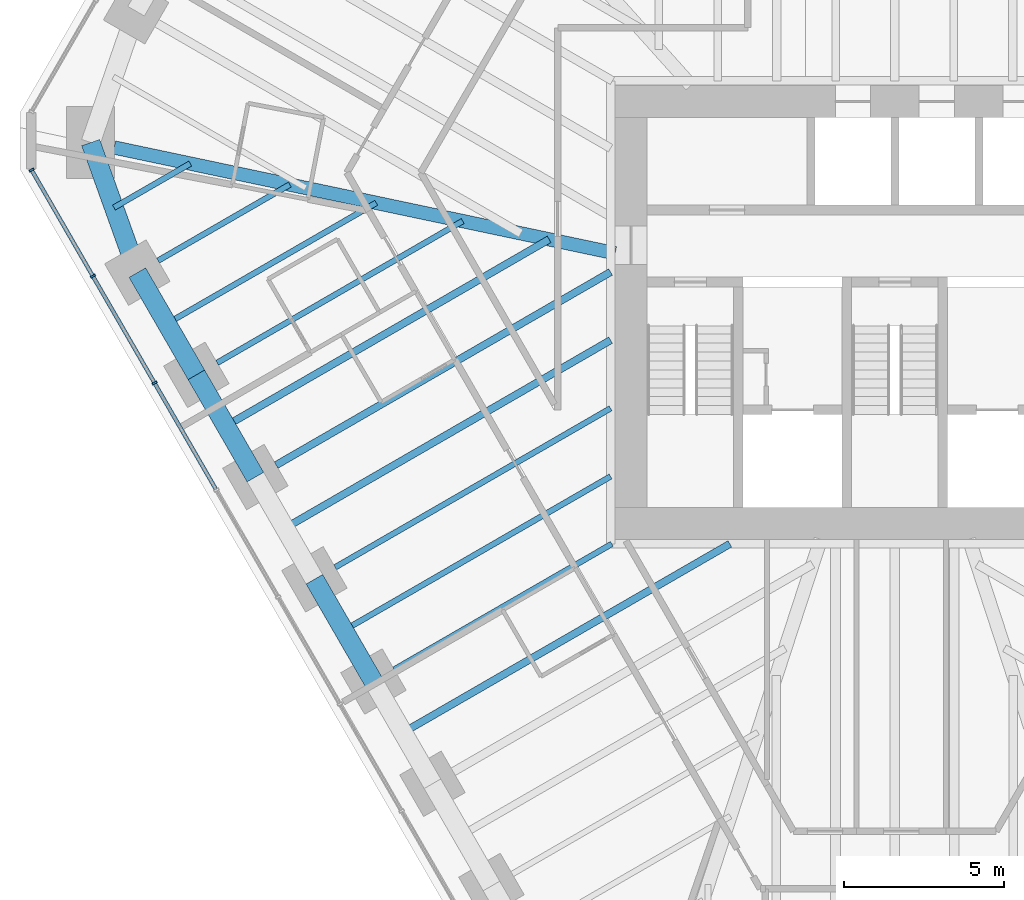
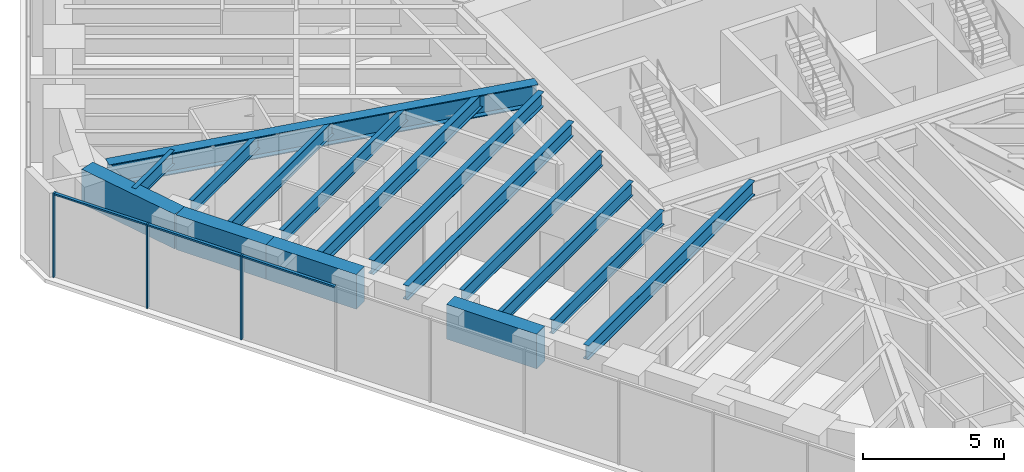
# One storey, part 3 of 16: 16 beams, 6 members, 1 element without a shape of its own.
"""IFC4 building model written with IfcOpenShell, lengths in metres."""

import ifcopenshell
import ifcopenshell.guid

model = None  # the IFC model being written
_history = None  # IfcOwnerHistory: only IFC2X3 demands one
_inside = {}  # id of a spatial element -> (the spatial element, [elements in it])
_under = {}  # id of a project, library or spatial element -> (it, [spatial elements below it])
_declared = {}  # id of a project -> (the project, [libraries it declares])
_typed = {}  # id of a type object -> (the type object, [elements of that type])
_made_of = {}  # id of a material, layer set ... -> (it, [elements and type objects made of it])


def new_model(schema):
    """Start an empty IFC model of exactly this schema.

    Asked for "IFC4X3", IfcOpenShell would pick the latest addendum, in which some entities
    have other attributes; the version numbers below select the first issue.
    IFC2X3 requires an IfcOwnerHistory on every rooted entity: one is made here for all.
    """
    global model, _history
    if schema == "IFC4X3":
        model = ifcopenshell.file(schema_version=(4, 3, 0, 0))
    else:
        model = ifcopenshell.file(schema=schema)
    _inside.clear()
    _under.clear()
    _declared.clear()
    _typed.clear()
    _made_of.clear()
    _history = None
    if model.schema == "IFC2X3":
        org = make("IfcOrganization", Name="unknown")
        user = make(
            "IfcPersonAndOrganization",
            ThePerson=make("IfcPerson", FamilyName="unknown"),
            TheOrganization=org,
        )
        app = make(
            "IfcApplication",
            ApplicationDeveloper=org,
            Version="unknown",
            ApplicationFullName="unknown",
            ApplicationIdentifier="unknown",
        )
        _history = make(
            "IfcOwnerHistory",
            OwningUser=user,
            OwningApplication=app,
            ChangeAction="ADDED",
            CreationDate=0,
        )
    return model


def make(cls, **values):
    """One entity of the class cls with the attributes given. An attribute that is None is left unset."""
    return model.create_entity(
        cls, **{name: value for name, value in values.items() if value is not None}
    )


def rooted(cls, **values):
    """An entity with a GlobalId (a new one), such as an element, a storey or a relation."""
    return make(cls, GlobalId=ifcopenshell.guid.new(), OwnerHistory=_history, **values)


def si_unit(unit_type, name, prefix=None):
    """IfcSIUnit, for example si_unit("LENGTHUNIT", "METRE", prefix="MILLI")."""
    return make("IfcSIUnit", UnitType=unit_type, Prefix=prefix, Name=name)


def assignment(units):
    """IfcUnitAssignment: the units of a project."""
    return None if units is None else make("IfcUnitAssignment", Units=units)


def point(xyz):
    """IfcCartesianPoint."""
    return None if xyz is None else make("IfcCartesianPoint", Coordinates=xyz)


def direction(xyz):
    """IfcDirection."""
    return None if xyz is None else make("IfcDirection", DirectionRatios=xyz)


def frame(location, z_axis=None, x_axis=None):
    """IfcAxis2Placement3D, a coordinate frame: its origin and axes. An axis left out is left unset."""
    return make(
        "IfcAxis2Placement3D",
        Location=point(location),
        Axis=direction(z_axis),
        RefDirection=direction(x_axis),
    )


def frame_2d(location, x_axis=None):
    """IfcAxis2Placement2D, a coordinate frame in the plane: its origin and x axis."""
    return make(
        "IfcAxis2Placement2D", Location=point(location), RefDirection=direction(x_axis)
    )


def origin():
    """The frame at (0, 0, 0) with its axes left unset."""
    return frame((0.0, 0.0, 0.0))


def origin_2d():
    """The frame at (0, 0) in the plane with its x axis left unset."""
    return frame_2d((0.0, 0.0))


def place(relative_to, where):
    """IfcLocalPlacement: puts the frame where relative to a parent placement (None: the world)."""
    return make(
        "IfcLocalPlacement", PlacementRelTo=relative_to, RelativePlacement=where
    )


def context(
    kind, dimensions, precision=None, world=None, true_north=None, identifier=None
):
    """IfcGeometricRepresentationContext, for example the 3D "Model" context."""
    return make(
        "IfcGeometricRepresentationContext",
        ContextIdentifier=identifier,
        ContextType=kind,
        CoordinateSpaceDimension=dimensions,
        Precision=precision,
        WorldCoordinateSystem=world,
        TrueNorth=true_north,
    )


def subcontext(parent, identifier, kind, view, scale=None):
    """IfcGeometricRepresentationSubContext, for example "Body" below "Model"."""
    return make(
        "IfcGeometricRepresentationSubContext",
        ContextIdentifier=identifier,
        ContextType=kind,
        ParentContext=parent,
        TargetScale=scale,
        TargetView=view,
    )


def project(units=None, contexts=None):
    """IfcProject with its units and contexts."""
    return rooted(
        "IfcProject",
        Name="project",
        RepresentationContexts=contexts,
        UnitsInContext=assignment(units),
    )


def spatial(cls, under=None, at=None, **own):
    """A site, building, storey or space (cls), placed at a placement, below another one or the project."""
    s = rooted(cls, ObjectPlacement=at, **own)
    if under is not None:
        _under.setdefault(under.id(), (under, []))[1].append(s)
    return s


def profile(cls, at=None, kind="AREA", **sizes):
    """A parametric profile (cls). Its sizes go by their IFC names, for example OverallWidth=200.0."""
    return make(cls, ProfileType=kind, Position=at, **sizes)


def rectangle(**sizes):
    """IfcRectangleProfileDef."""
    return profile("IfcRectangleProfileDef", **sizes)


def i_section(**sizes):
    """IfcIShapeProfileDef."""
    return profile("IfcIShapeProfileDef", **sizes)


def extrude(swept, where, along, depth):
    """IfcExtrudedAreaSolid: the profile swept, set in the frame where, extruded along a direction by depth."""
    return make(
        "IfcExtrudedAreaSolid",
        SweptArea=swept,
        Position=where,
        ExtrudedDirection=direction(along),
        Depth=depth,
    )


def shape(context_of_items, identifier, shape_type, items):
    """IfcShapeRepresentation: the items that make up one representation, for example the "Body"."""
    return make(
        "IfcShapeRepresentation",
        ContextOfItems=context_of_items,
        RepresentationIdentifier=identifier,
        RepresentationType=shape_type,
        Items=items,
    )


def material(Name=None, Category=None):
    """IfcMaterial."""
    return make("IfcMaterial", Name=Name, Category=Category)


def material_profile(
    of_material, cross_section, Name=None, Category=None, Priority=None
):
    """IfcMaterialProfile: a cross section and its material."""
    return make(
        "IfcMaterialProfile",
        Name=Name,
        Material=of_material,
        Profile=cross_section,
        Priority=Priority,
        Category=Category,
    )


def profile_set(profiles, Name=None, composite=None):
    """IfcMaterialProfileSet."""
    return make(
        "IfcMaterialProfileSet",
        Name=Name,
        MaterialProfiles=profiles,
        CompositeProfile=composite,
    )


def made_of(thing, what):
    """Note that an element or type object is made of a material, layer set ...; save() writes the relation."""
    if what is not None:
        _made_of.setdefault(what.id(), (what, []))[1].append(thing)
    return thing


def type_object(cls, material=None, **own):
    """A type object (cls), such as IfcWallType, which elements share."""
    return made_of(rooted(cls, **own), material)


def element(
    cls,
    number,
    at=None,
    inside=None,
    cuts=None,
    type_object=None,
    material=None,
    context=None,
    identifier="Body",
    shape_type=None,
    held_by="IfcProductDefinitionShape",
    body=None,
    shapes=None,
    **own,
):
    """One element of the class cls, such as IfcWall. Its Tag is "e" and its number.

    at: its placement. inside: the storey or other place that contains it. cuts: it is an
    opening in that element (IfcRelVoidsElement). A single representation is given by context,
    identifier, shape_type and body (its items); several are given by shapes. held_by: the class
    of the entity that holds the representations. save() writes the other relations.
    """
    e = rooted(cls, Tag="e%d" % number, ObjectPlacement=at, **own)
    if body is not None:
        shapes = [shape(context, identifier, shape_type, body)]
    if shapes is not None:
        e.Representation = make(held_by, Representations=shapes)
    if inside is not None:
        _inside.setdefault(inside.id(), (inside, []))[1].append(e)
    if cuts is not None:
        rooted(
            "IfcRelVoidsElement", RelatingBuildingElement=cuts, RelatedOpeningElement=e
        )
    if type_object is not None:
        _typed.setdefault(type_object.id(), (type_object, []))[1].append(e)
    return made_of(e, material)


def aggregate(whole, parts):
    """IfcRelAggregates: a whole, such as a stair, and the parts it consists of."""
    return rooted("IfcRelAggregates", RelatingObject=whole, RelatedObjects=parts)


def save(model, path):
    """Write the relations noted so far, then the file.

    IfcRelAggregates (storeys below a building ...), IfcRelContainedInSpatialStructure (elements
    in a storey), IfcRelDefinesByType, IfcRelAssociatesMaterial and IfcRelDeclares: one each for
    every whole, place, type object, material and project.
    """
    for whole, parts in _under.values():
        aggregate(whole, parts)
    for where, things in _inside.values():
        rooted(
            "IfcRelContainedInSpatialStructure",
            RelatedElements=things,
            RelatingStructure=where,
        )
    for kind, things in _typed.values():
        rooted("IfcRelDefinesByType", RelatedObjects=things, RelatingType=kind)
    for what, things in _made_of.values():
        rooted("IfcRelAssociatesMaterial", RelatedObjects=things, RelatingMaterial=what)
    for by, libraries in _declared.values():
        rooted("IfcRelDeclares", RelatingContext=by, RelatedDefinitions=libraries)
    model.write(path)


model = new_model("IFC4")

# Units and contexts
model_context = context("Model", 3, precision=1e-05, world=origin(), true_north=direction((0.0, 1.0)))
body_context = subcontext(model_context, "Body", "Model", "MODEL_VIEW")
ifc_project = project(units=[si_unit("LENGTHUNIT", "METRE"), si_unit("AREAUNIT", "SQUARE_METRE"), si_unit("VOLUMEUNIT", "CUBIC_METRE"), si_unit("PLANEANGLEUNIT", "RADIAN"), si_unit("MASSUNIT", "GRAM", prefix="KILO")], contexts=[model_context])

# Site, building, storey
site_placement = place(None, origin())
site = spatial("IfcSite", under=ifc_project, at=site_placement, CompositionType="ELEMENT")
building_placement = place(site_placement, origin())
building = spatial("IfcBuilding", under=site, at=building_placement, Name="Sandreach Pilgrim Tower", CompositionType="ELEMENT")
storey_placement = place(building_placement, frame((0.0, 0.0, 228.800048828125)))
storey = spatial("IfcBuildingStorey", under=building, at=storey_placement, Name="L57", CompositionType="ELEMENT", Elevation=228.800048828125)

# Curtain wall, members
ifc_material_1 = material(Name="Aluminium framed curtain wall", Category="aluminium")
curtain_wall_type = type_object("IfcCurtainWallType", Name="Upper hotel tower curtain wall", PredefinedType="NOTDEFINED", material=ifc_material_1)
curtain_wall_placement = place(storey_placement, origin())
curtain_wall = element("IfcCurtainWall", 1, at=curtain_wall_placement, inside=storey, type_object=curtain_wall_type, Name="CW-3 L57 SW", PredefinedType="NOTDEFINED")
ifc_material_2 = material(Name="Aluminium extrusion", Category="aluminium")
ifc_material_profile_1 = material_profile(ifc_material_2, rectangle(XDim=0.06494140625, YDim=0.159912109375, at=origin_2d()), Name="CW-3M 65X160")
ifc_profile_set_1 = profile_set([ifc_material_profile_1], Name="Aluminium extrusion")
member_type_1 = type_object("IfcMemberType", Name="CW-3 mullion", PredefinedType="MULLION", material=ifc_profile_set_1)
member_1_placement = place(storey_placement, frame((-23.15576171875, -2.21337890625, 0.0), z_axis=(0.0, 0.0, 1.0), x_axis=(-0.5, 0.866025403784, 0.0)))
member_1 = element("IfcMember", 2, at=member_1_placement, type_object=member_type_1, Name="CW-3 mullion 8", PredefinedType="MULLION", context=body_context, shape_type="SweptSolid", body=[
    extrude(rectangle(XDim=0.06494140625, YDim=0.159912109375, at=origin_2d()), origin(), (0.0, 0.0, 1.0), 3.639892578125),
])
member_2_placement = place(storey_placement, frame((-25.087890625, 1.13330078125, 0.0), z_axis=(0.0, 0.0, 1.0), x_axis=(-0.5, 0.866025403784, 0.0)))
member_2 = element("IfcMember", 3, at=member_2_placement, type_object=member_type_1, Name="CW-3 mullion 9", PredefinedType="MULLION", context=body_context, shape_type="SweptSolid", body=[
    extrude(rectangle(XDim=0.06494140625, YDim=0.159912109375, at=origin_2d()), origin(), (0.0, 0.0, 1.0), 3.639892578125),
])
member_3_placement = place(storey_placement, frame((-27.00390625, 4.451904296875, 0.0), z_axis=(0.0, 0.0, 1.0), x_axis=(-0.5, 0.866025403784, 0.0)))
member_3 = element("IfcMember", 4, at=member_3_placement, type_object=member_type_1, Name="CW-3 mullion 10", PredefinedType="MULLION", context=body_context, shape_type="SweptSolid", body=[
    extrude(rectangle(XDim=0.06494140625, YDim=0.159912109375, at=origin_2d()), origin(), (0.0, 0.0, 1.0), 3.639892578125),
])
ifc_material_3 = material(Name="Aluminium extrusion", Category="aluminium")
ifc_material_profile_2 = material_profile(ifc_material_3, rectangle(XDim=0.1201171875, YDim=0.070068359375, at=origin_2d()), Name="CW-3T 120X70")
ifc_profile_set_2 = profile_set([ifc_material_profile_2], Name="Aluminium extrusion")
member_type_2 = type_object("IfcMemberType", Name="CW-3 transom", PredefinedType="USERDEFINED", material=ifc_profile_set_2)
member_4_placement = place(storey_placement, frame((-21.23974609375, -5.531982421875, 3.60498046875), z_axis=(-0.499974606132, 0.866040064445, 0.0), x_axis=(-0.866040064445, -0.499974606132, 0.0)))
member_4 = element("IfcMember", 5, at=member_4_placement, type_object=member_type_2, Name="CW-3 head transom 7", ObjectType="TRANSOM", PredefinedType="USERDEFINED", context=body_context, shape_type="SweptSolid", body=[
    extrude(rectangle(XDim=0.1201171875, YDim=0.070068359375, at=origin_2d()), origin(), (0.0, 0.0, 1.0), 3.799560546875),
])
member_5_placement = place(storey_placement, frame((-23.171875, -2.185302734375, 3.60498046875), z_axis=(-0.500022797313, 0.86601224135, 0.0), x_axis=(-0.86601224135, -0.500022797313, 0.0)))
member_5 = element("IfcMember", 6, at=member_5_placement, type_object=member_type_2, Name="CW-3 head transom 8", ObjectType="TRANSOM", PredefinedType="USERDEFINED", context=body_context, shape_type="SweptSolid", body=[
    extrude(rectangle(XDim=0.1201171875, YDim=0.070068359375, at=origin_2d()), origin(), (0.0, 0.0, 1.0), 3.799560546875),
])
member_6_placement = place(storey_placement, frame((-25.104248046875, 1.161376953125, 3.60498046875), z_axis=(-0.499944992379, 0.86605716012, 0.0), x_axis=(-0.86605716012, -0.499944992379, 0.0)))
member_6 = element("IfcMember", 7, at=member_6_placement, type_object=member_type_2, Name="CW-3 head transom 9", ObjectType="TRANSOM", PredefinedType="USERDEFINED", context=body_context, shape_type="SweptSolid", body=[
    extrude(rectangle(XDim=0.1201171875, YDim=0.070068359375, at=origin_2d()), origin(), (0.0, 0.0, 1.0), 3.76708984375),
])
aggregate(curtain_wall, [member_1, member_2, member_3, member_4, member_5, member_6])

# Beams
ifc_material_4 = material(Name="Steel ASTM A992 Grade 50", Category="steel")
ifc_material_profile_3 = material_profile(ifc_material_4, i_section(OverallWidth=0.421630859375, OverallDepth=0.937255859375, WebThickness=0.0224609375, FlangeThickness=0.039794921875, at=origin_2d()), Name="W36X282")
ifc_profile_set_3 = profile_set([ifc_material_profile_3], Name="Steel ASTM A992 Grade 50")
beam_type_1 = type_object("IfcBeamType", Name="Corner girder W36X282", PredefinedType="BEAM", material=ifc_profile_set_3)
beam_1_placement = place(storey_placement, frame((-24.422607421875, 5.156494140625, 3.17138671875), z_axis=(0.978428978804, -0.206583478132, 0.0), x_axis=(0.206583478132, 0.978428978804, 0.0)))
element("IfcBeam", 8, at=beam_1_placement, inside=storey, type_object=beam_type_1, Name="BM L57 CG35", PredefinedType="BEAM", context=body_context, shape_type="SweptSolid", body=[
    extrude(i_section(OverallWidth=0.421630859375, OverallDepth=0.937255859375, WebThickness=0.0224609375, FlangeThickness=0.039794921875, at=origin_2d()), origin(), (0.0, 0.0, 1.0), 16.01806640625),
])
ifc_material_5 = material(Name="Steel ASTM A992 Grade 50", Category="steel")
ifc_material_profile_4 = material_profile(ifc_material_5, i_section(OverallWidth=0.1787109375, OverallDepth=0.60205078125, WebThickness=0.010986328125, FlangeThickness=0.014892578125, at=origin_2d()), Name="W24X62")
ifc_profile_set_4 = profile_set([ifc_material_profile_4], Name="Steel ASTM A992 Grade 50")
beam_type_2 = type_object("IfcBeamType", Name="Floor beam W24X62", PredefinedType="BEAM", material=ifc_profile_set_4)
beam_2_placement = place(storey_placement, frame((-15.661376953125, -11.173828125, 3.3388671875), z_axis=(0.866038711524, 0.49997694961, 0.0), x_axis=(-0.49997694961, 0.866038711524, 0.0)))
element("IfcBeam", 9, at=beam_2_placement, inside=storey, type_object=beam_type_2, Name="BM L57 F30", PredefinedType="BEAM", context=body_context, shape_type="SweptSolid", body=[
    extrude(i_section(OverallWidth=0.1787109375, OverallDepth=0.60205078125, WebThickness=0.010986328125, FlangeThickness=0.014892578125, at=origin_2d()), origin(), (0.0, 0.0, 1.0), 7.861083984375),
])
beam_3_placement = place(storey_placement, frame((-17.507568359375, -7.97607421875, 3.3388671875), z_axis=(0.866027815265, 0.499995823171, 0.0), x_axis=(-0.499995823171, 0.866027815265, 0.0)))
element("IfcBeam", 10, at=beam_3_placement, inside=storey, type_object=beam_type_2, Name="BM L57 F31", PredefinedType="BEAM", context=body_context, shape_type="SweptSolid", body=[
    extrude(i_section(OverallWidth=0.1787109375, OverallDepth=0.60205078125, WebThickness=0.010986328125, FlangeThickness=0.014892578125, at=origin_2d()), origin(), (0.0, 0.0, 1.0), 9.94677734375),
])
beam_4_placement = place(storey_placement, frame((-21.2001953125, -1.58056640625, 3.3388671875), z_axis=(0.866027448082, 0.499996459156, 0.0), x_axis=(-0.499996459156, 0.866027448082, 0.0)))
element("IfcBeam", 11, at=beam_4_placement, inside=storey, type_object=beam_type_2, Name="BM L57 F33", PredefinedType="BEAM", context=body_context, shape_type="SweptSolid", body=[
    extrude(i_section(OverallWidth=0.1787109375, OverallDepth=0.60205078125, WebThickness=0.010986328125, FlangeThickness=0.014892578125, at=origin_2d()), origin(), (0.0, 0.0, 1.0), 8.86962890625),
])
beam_5_placement = place(storey_placement, frame((-23.04638671875, 1.6171875, 3.3388671875), z_axis=(0.86603347311, 0.499986023258, 0.0), x_axis=(-0.499986023258, 0.86603347311, 0.0)))
element("IfcBeam", 12, at=beam_5_placement, inside=storey, type_object=beam_type_2, Name="BM L57 F34", PredefinedType="BEAM", context=body_context, shape_type="SweptSolid", body=[
    extrude(i_section(OverallWidth=0.1787109375, OverallDepth=0.60205078125, WebThickness=0.010986328125, FlangeThickness=0.014892578125, at=origin_2d()), origin(), (0.0, 0.0, 1.0), 4.757568359375),
])
beam_6_placement = place(storey_placement, frame((-17.23388671875, -9.949951171875, 3.3388671875), z_axis=(0.866025593094, 0.499999672107, 0.0), x_axis=(-0.499999672107, 0.866025593094, 0.0)))
element("IfcBeam", 13, at=beam_6_placement, inside=storey, type_object=beam_type_2, Name="BM L57 FM30", PredefinedType="BEAM", context=body_context, shape_type="SweptSolid", body=[
    extrude(i_section(OverallWidth=0.1787109375, OverallDepth=0.60205078125, WebThickness=0.010986328125, FlangeThickness=0.014892578125, at=origin_2d()), origin(), (0.0, 0.0, 1.0), 9.630859375),
])
beam_7_placement = place(storey_placement, frame((-22.772705078125, -0.356689453125, 3.3388671875), z_axis=(0.866029704776, 0.49999255039, 0.0), x_axis=(-0.49999255039, 0.866029704776, 0.0)))
element("IfcBeam", 14, at=beam_7_placement, inside=storey, type_object=beam_type_2, Name="BM L57 FM33", PredefinedType="BEAM", context=body_context, shape_type="SweptSolid", body=[
    extrude(i_section(OverallWidth=0.1787109375, OverallDepth=0.60205078125, WebThickness=0.010986328125, FlangeThickness=0.014892578125, at=origin_2d()), origin(), (0.0, 0.0, 1.0), 7.5634765625),
])
beam_8_placement = place(storey_placement, frame((-24.42626953125, 3.27685546875, 3.3388671875), z_axis=(0.866046803606, 0.49996293259, 0.0), x_axis=(-0.49996293259, 0.866046803606, 0.0)))
element("IfcBeam", 15, at=beam_8_placement, inside=storey, type_object=beam_type_2, Name="BM L57 FM34", PredefinedType="BEAM", context=body_context, shape_type="SweptSolid", body=[
    extrude(i_section(OverallWidth=0.1787109375, OverallDepth=0.60205078125, WebThickness=0.010986328125, FlangeThickness=0.014892578125, at=origin_2d()), origin(), (0.0, 0.0, 1.0), 2.753662109375),
])
ifc_material_6 = material(Name="Steel ASTM A992 Grade 50", Category="steel")
ifc_material_profile_5 = material_profile(ifc_material_6, i_section(OverallWidth=0.23046875, OverallDepth=0.6171875, WebThickness=0.01318359375, FlangeThickness=0.022216796875, at=origin_2d()), Name="W24X94")
ifc_profile_set_5 = profile_set([ifc_material_profile_5], Name="Steel ASTM A992 Grade 50")
beam_type_3 = type_object("IfcBeamType", Name="Floor beam W24X94", PredefinedType="BEAM", material=ifc_profile_set_5)
beam_9_placement = place(storey_placement, frame((-19.353759765625, -4.7783203125, 3.331298828125), z_axis=(0.866026713419, 0.49999773164, 0.0), x_axis=(-0.49999773164, 0.866026713419, 0.0)))
element("IfcBeam", 16, at=beam_9_placement, inside=storey, type_object=beam_type_3, Name="BM L57 F32", PredefinedType="BEAM", context=body_context, shape_type="SweptSolid", body=[
    extrude(i_section(OverallWidth=0.23046875, OverallDepth=0.6171875, WebThickness=0.01318359375, FlangeThickness=0.022216796875, at=origin_2d()), origin(), (0.0, 0.0, 1.0), 12.07861328125),
])
beam_10_placement = place(storey_placement, frame((-15.3876953125, -13.14794921875, 3.331298828125), z_axis=(0.866022050506, 0.500005808004, 0.0), x_axis=(-0.500005808004, 0.866022050506, 0.0)))
element("IfcBeam", 17, at=beam_10_placement, inside=storey, type_object=beam_type_3, Name="BM L57 FM29", PredefinedType="BEAM", context=body_context, shape_type="SweptSolid", body=[
    extrude(i_section(OverallWidth=0.23046875, OverallDepth=0.6171875, WebThickness=0.01318359375, FlangeThickness=0.022216796875, at=origin_2d()), origin(), (0.0, 0.0, 1.0), 11.808837890625),
])
beam_11_placement = place(storey_placement, frame((-19.080322265625, -6.752197265625, 3.331298828125), z_axis=(0.866030053141, 0.499991946992, 0.0), x_axis=(-0.499991946992, 0.866030053141, 0.0)))
element("IfcBeam", 18, at=beam_11_placement, inside=storey, type_object=beam_type_3, Name="BM L57 FM31", PredefinedType="BEAM", context=body_context, shape_type="SweptSolid", body=[
    extrude(i_section(OverallWidth=0.23046875, OverallDepth=0.6171875, WebThickness=0.01318359375, FlangeThickness=0.022216796875, at=origin_2d()), origin(), (0.0, 0.0, 1.0), 11.762939453125),
])
beam_12_placement = place(storey_placement, frame((-20.926513671875, -3.554443359375, 3.331298828125), z_axis=(0.866026454974, 0.499998179282, 0.0), x_axis=(-0.499998179282, 0.866026454974, 0.0)))
element("IfcBeam", 19, at=beam_12_placement, inside=storey, type_object=beam_type_3, Name="BM L57 FM32", PredefinedType="BEAM", context=body_context, shape_type="SweptSolid", body=[
    extrude(i_section(OverallWidth=0.23046875, OverallDepth=0.6171875, WebThickness=0.01318359375, FlangeThickness=0.022216796875, at=origin_2d()), origin(), (0.0, 0.0, 1.0), 11.67578125),
])
ifc_material_7 = material(Name="Concrete 10000 psi", Category="concrete")
ifc_material_profile_6 = material_profile(ifc_material_7, rectangle(XDim=0.60009765625, YDim=1.5, at=origin_2d()), Name="RC600X1500")
ifc_profile_set_6 = profile_set([ifc_material_profile_6], Name="Concrete 10000 psi")
beam_type_4 = type_object("IfcBeamType", Name="Spandrel beam RC600X1500", PredefinedType="SPANDREL", material=ifc_profile_set_6)
beam_13_placement = place(storey_placement, frame((-16.310791015625, -11.548828125, 2.889892578125), z_axis=(-0.500042951019, 0.866000604582, 0.0), x_axis=(-0.866000604582, -0.500042951019, 0.0)))
element("IfcBeam", 20, at=beam_13_placement, inside=storey, type_object=beam_type_4, Name="BM L57 SP30", PredefinedType="SPANDREL", context=body_context, shape_type="SweptSolid", body=[
    extrude(rectangle(XDim=0.60009765625, YDim=1.5, at=origin_2d()), origin(), (0.0, 0.0, 1.0), 3.692626953125),
])
for number, where, z_axis, x_axis, name in (
    (21, (-20.00341796875, -5.1533203125, 2.889892578125), (-0.499993363642, 0.866029235253, 0.0), (-0.866029235253, -0.499993363642, 0.0), "BM L57 SP32"),
    (22, (-21.849609375, -1.95556640625, 2.889892578125), (-0.499993363642, 0.866029235253, 0.0), (-0.866029235253, -0.499993363642, 0.0), "BM L57 SP33"),
):
    element("IfcBeam", number, at=place(storey_placement, frame(where, z_axis=z_axis, x_axis=x_axis)), inside=storey, type_object=beam_type_4, Name=name, PredefinedType="SPANDREL", context=body_context, shape_type="SweptSolid", body=[
        extrude(rectangle(XDim=0.60009765625, YDim=1.5, at=origin_2d()), origin(), (0.0, 0.0, 1.0), 3.6923828125),
    ])
beam_14_placement = place(storey_placement, frame((-23.69580078125, 1.2421875, 2.889892578125), z_axis=(-0.337863470932, 0.941195131208, 0.0), x_axis=(-0.941195131208, -0.337863470932, 0.0)))
element("IfcBeam", 23, at=beam_14_placement, inside=storey, type_object=beam_type_4, Name="BM L57 SP34", PredefinedType="SPANDREL", context=body_context, shape_type="SweptSolid", body=[
    extrude(rectangle(XDim=0.60009765625, YDim=1.5, at=origin_2d()), origin(), (0.0, 0.0, 1.0), 4.3232421875),
])

save(model, "model.ifc")
